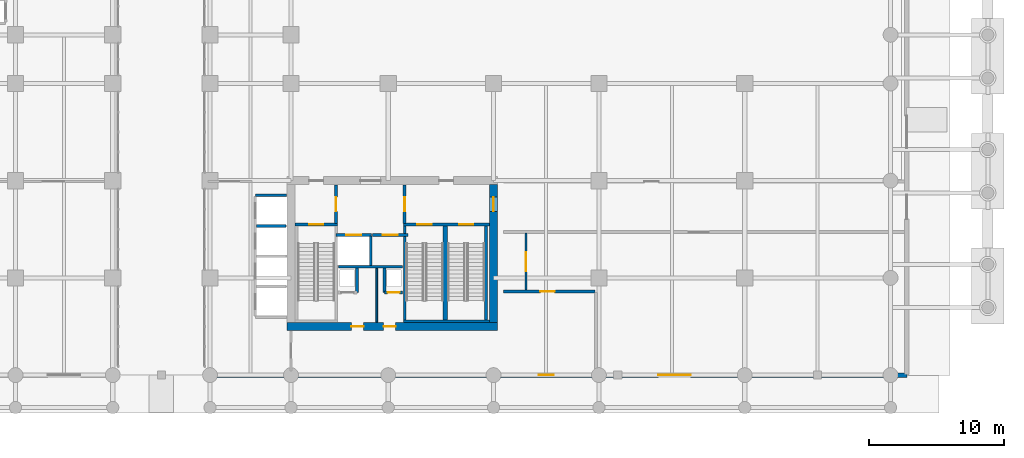
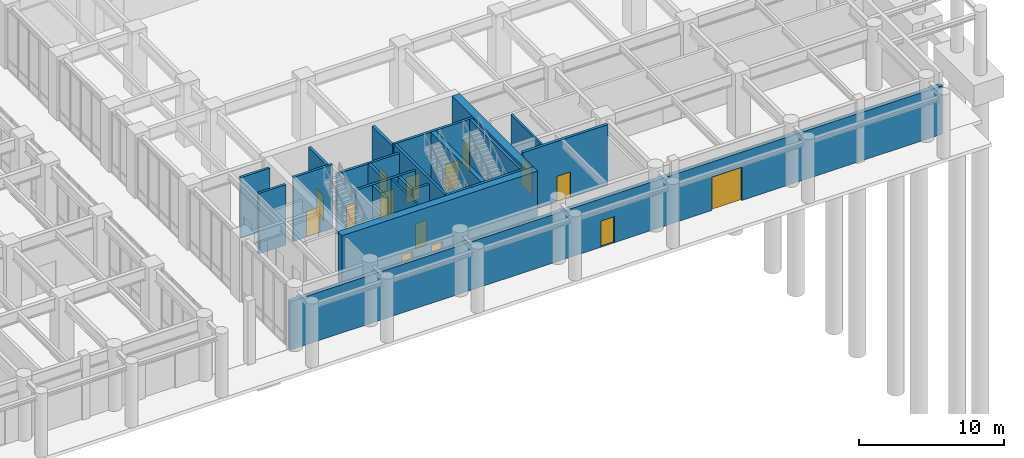
# One storey, part 15 of 23: 23 walls, 15 doors, 15 openings.
"""IFC4 building model written with IfcOpenShell, lengths in metres."""

import ifcopenshell
import ifcopenshell.guid

model = None  # the IFC model being written
_history = None  # IfcOwnerHistory: only IFC2X3 demands one
_inside = {}  # id of a spatial element -> (the spatial element, [elements in it])
_under = {}  # id of a project, library or spatial element -> (it, [spatial elements below it])
_declared = {}  # id of a project -> (the project, [libraries it declares])
_typed = {}  # id of a type object -> (the type object, [elements of that type])
_made_of = {}  # id of a material, layer set ... -> (it, [elements and type objects made of it])


def new_model(schema):
    """Start an empty IFC model of exactly this schema.

    Asked for "IFC4X3", IfcOpenShell would pick the latest addendum, in which some entities
    have other attributes; the version numbers below select the first issue.
    IFC2X3 requires an IfcOwnerHistory on every rooted entity: one is made here for all.
    """
    global model, _history
    if schema == "IFC4X3":
        model = ifcopenshell.file(schema_version=(4, 3, 0, 0))
    else:
        model = ifcopenshell.file(schema=schema)
    _inside.clear()
    _under.clear()
    _declared.clear()
    _typed.clear()
    _made_of.clear()
    _history = None
    if model.schema == "IFC2X3":
        org = make("IfcOrganization", Name="unknown")
        user = make(
            "IfcPersonAndOrganization",
            ThePerson=make("IfcPerson", FamilyName="unknown"),
            TheOrganization=org,
        )
        app = make(
            "IfcApplication",
            ApplicationDeveloper=org,
            Version="unknown",
            ApplicationFullName="unknown",
            ApplicationIdentifier="unknown",
        )
        _history = make(
            "IfcOwnerHistory",
            OwningUser=user,
            OwningApplication=app,
            ChangeAction="ADDED",
            CreationDate=0,
        )
    return model


def make(cls, **values):
    """One entity of the class cls with the attributes given. An attribute that is None is left unset."""
    return model.create_entity(
        cls, **{name: value for name, value in values.items() if value is not None}
    )


def rooted(cls, **values):
    """An entity with a GlobalId (a new one), such as an element, a storey or a relation."""
    return make(cls, GlobalId=ifcopenshell.guid.new(), OwnerHistory=_history, **values)


def si_unit(unit_type, name, prefix=None):
    """IfcSIUnit, for example si_unit("LENGTHUNIT", "METRE", prefix="MILLI")."""
    return make("IfcSIUnit", UnitType=unit_type, Prefix=prefix, Name=name)


def derived_unit(unit_type, elements):
    """IfcDerivedUnit: a product of units, each with its exponent."""
    return make(
        "IfcDerivedUnit",
        Elements=[
            make("IfcDerivedUnitElement", Unit=unit, Exponent=power)
            for unit, power in elements
        ],
        UnitType=unit_type,
    )


def assignment(units):
    """IfcUnitAssignment: the units of a project."""
    return None if units is None else make("IfcUnitAssignment", Units=units)


def point(xyz):
    """IfcCartesianPoint."""
    return None if xyz is None else make("IfcCartesianPoint", Coordinates=xyz)


def direction(xyz):
    """IfcDirection."""
    return None if xyz is None else make("IfcDirection", DirectionRatios=xyz)


def frame(location, z_axis=None, x_axis=None):
    """IfcAxis2Placement3D, a coordinate frame: its origin and axes. An axis left out is left unset."""
    return make(
        "IfcAxis2Placement3D",
        Location=point(location),
        Axis=direction(z_axis),
        RefDirection=direction(x_axis),
    )


def frame_2d(location, x_axis=None):
    """IfcAxis2Placement2D, a coordinate frame in the plane: its origin and x axis."""
    return make(
        "IfcAxis2Placement2D", Location=point(location), RefDirection=direction(x_axis)
    )


def origin():
    """The frame at (0, 0, 0) with its axes left unset."""
    return frame((0.0, 0.0, 0.0))


def place(relative_to, where):
    """IfcLocalPlacement: puts the frame where relative to a parent placement (None: the world)."""
    return make(
        "IfcLocalPlacement", PlacementRelTo=relative_to, RelativePlacement=where
    )


def context(
    kind, dimensions, precision=None, world=None, true_north=None, identifier=None
):
    """IfcGeometricRepresentationContext, for example the 3D "Model" context."""
    return make(
        "IfcGeometricRepresentationContext",
        ContextIdentifier=identifier,
        ContextType=kind,
        CoordinateSpaceDimension=dimensions,
        Precision=precision,
        WorldCoordinateSystem=world,
        TrueNorth=true_north,
    )


def subcontext(parent, identifier, kind, view, scale=None):
    """IfcGeometricRepresentationSubContext, for example "Body" below "Model"."""
    return make(
        "IfcGeometricRepresentationSubContext",
        ContextIdentifier=identifier,
        ContextType=kind,
        ParentContext=parent,
        TargetScale=scale,
        TargetView=view,
    )


def project(units=None, contexts=None):
    """IfcProject with its units and contexts."""
    return rooted(
        "IfcProject",
        Name="project",
        RepresentationContexts=contexts,
        UnitsInContext=assignment(units),
    )


def spatial(cls, under=None, at=None, **own):
    """A site, building, storey or space (cls), placed at a placement, below another one or the project."""
    s = rooted(cls, ObjectPlacement=at, **own)
    if under is not None:
        _under.setdefault(under.id(), (under, []))[1].append(s)
    return s


def profile(cls, at=None, kind="AREA", **sizes):
    """A parametric profile (cls). Its sizes go by their IFC names, for example OverallWidth=200.0."""
    return make(cls, ProfileType=kind, Position=at, **sizes)


def rectangle(**sizes):
    """IfcRectangleProfileDef."""
    return profile("IfcRectangleProfileDef", **sizes)


def extrude(swept, where, along, depth):
    """IfcExtrudedAreaSolid: the profile swept, set in the frame where, extruded along a direction by depth."""
    return make(
        "IfcExtrudedAreaSolid",
        SweptArea=swept,
        Position=where,
        ExtrudedDirection=direction(along),
        Depth=depth,
    )


def shape(context_of_items, identifier, shape_type, items):
    """IfcShapeRepresentation: the items that make up one representation, for example the "Body"."""
    return make(
        "IfcShapeRepresentation",
        ContextOfItems=context_of_items,
        RepresentationIdentifier=identifier,
        RepresentationType=shape_type,
        Items=items,
    )


def source(mapping_origin, context_of_items, identifier, shape_type, items):
    """IfcRepresentationMap: a shape defined once, which mapped items show again and again."""
    return make(
        "IfcRepresentationMap",
        MappingOrigin=mapping_origin,
        MappedRepresentation=shape(context_of_items, identifier, shape_type, items),
    )


def transform(
    local_origin,
    x_axis=None,
    y_axis=None,
    z_axis=None,
    scale=None,
    scale2=None,
    scale3=None,
    uniform=True,
):
    """IfcCartesianTransformationOperator3D, or its non-uniform kind. x_axis, y_axis, z_axis: its Axis1, 2, 3."""
    if uniform:
        return make(
            "IfcCartesianTransformationOperator3D",
            Axis1=direction(x_axis),
            Axis2=direction(y_axis),
            LocalOrigin=point(local_origin),
            Scale=scale,
            Axis3=direction(z_axis),
        )
    return make(
        "IfcCartesianTransformationOperator3DnonUniform",
        Axis1=direction(x_axis),
        Axis2=direction(y_axis),
        LocalOrigin=point(local_origin),
        Scale=scale,
        Axis3=direction(z_axis),
        Scale2=scale2,
        Scale3=scale3,
    )


def mapped(mapping_source, mapping_target):
    """IfcMappedItem: shows the shape of a source again, moved by a transform."""
    return make(
        "IfcMappedItem", MappingSource=mapping_source, MappingTarget=mapping_target
    )


def material(Name=None, Category=None):
    """IfcMaterial."""
    return make("IfcMaterial", Name=Name, Category=Category)


def layer(
    of_material, thickness, ventilated=None, Name=None, Category=None, Priority=None
):
    """IfcMaterialLayer: one layer of a wall or slab, of a material (None: an air gap)."""
    return make(
        "IfcMaterialLayer",
        Material=of_material,
        LayerThickness=thickness,
        IsVentilated=ventilated,
        Name=Name,
        Category=Category,
        Priority=Priority,
    )


def layer_set(layers, Name=None):
    """IfcMaterialLayerSet."""
    return make("IfcMaterialLayerSet", MaterialLayers=layers, LayerSetName=Name)


def made_of(thing, what):
    """Note that an element or type object is made of a material, layer set ...; save() writes the relation."""
    if what is not None:
        _made_of.setdefault(what.id(), (what, []))[1].append(thing)
    return thing


def type_object(cls, material=None, **own):
    """A type object (cls), such as IfcWallType, which elements share."""
    return made_of(rooted(cls, **own), material)


def type_shapes(of_type, sources):
    """Give a type object the sources (RepresentationMaps) that its elements show as mapped items."""
    of_type.RepresentationMaps = sources


def element(
    cls,
    number,
    at=None,
    inside=None,
    cuts=None,
    type_object=None,
    material=None,
    context=None,
    identifier="Body",
    shape_type=None,
    held_by="IfcProductDefinitionShape",
    body=None,
    shapes=None,
    **own,
):
    """One element of the class cls, such as IfcWall. Its Tag is "e" and its number.

    at: its placement. inside: the storey or other place that contains it. cuts: it is an
    opening in that element (IfcRelVoidsElement). A single representation is given by context,
    identifier, shape_type and body (its items); several are given by shapes. held_by: the class
    of the entity that holds the representations. save() writes the other relations.
    """
    e = rooted(cls, Tag="e%d" % number, ObjectPlacement=at, **own)
    if body is not None:
        shapes = [shape(context, identifier, shape_type, body)]
    if shapes is not None:
        e.Representation = make(held_by, Representations=shapes)
    if inside is not None:
        _inside.setdefault(inside.id(), (inside, []))[1].append(e)
    if cuts is not None:
        rooted(
            "IfcRelVoidsElement", RelatingBuildingElement=cuts, RelatedOpeningElement=e
        )
    if type_object is not None:
        _typed.setdefault(type_object.id(), (type_object, []))[1].append(e)
    return made_of(e, material)


def fill(opening, filler):
    """IfcRelFillsElement: the door or window that sits in an opening."""
    return rooted(
        "IfcRelFillsElement",
        RelatingOpeningElement=opening,
        RelatedBuildingElement=filler,
    )


def aggregate(whole, parts):
    """IfcRelAggregates: a whole, such as a stair, and the parts it consists of."""
    return rooted("IfcRelAggregates", RelatingObject=whole, RelatedObjects=parts)


def save(model, path):
    """Write the relations noted so far, then the file.

    IfcRelAggregates (storeys below a building ...), IfcRelContainedInSpatialStructure (elements
    in a storey), IfcRelDefinesByType, IfcRelAssociatesMaterial and IfcRelDeclares: one each for
    every whole, place, type object, material and project.
    """
    for whole, parts in _under.values():
        aggregate(whole, parts)
    for where, things in _inside.values():
        rooted(
            "IfcRelContainedInSpatialStructure",
            RelatedElements=things,
            RelatingStructure=where,
        )
    for kind, things in _typed.values():
        rooted("IfcRelDefinesByType", RelatedObjects=things, RelatingType=kind)
    for what, things in _made_of.values():
        rooted("IfcRelAssociatesMaterial", RelatedObjects=things, RelatingMaterial=what)
    for by, libraries in _declared.values():
        rooted("IfcRelDeclares", RelatingContext=by, RelatedDefinitions=libraries)
    model.write(path)


model = new_model("IFC4")

# Units and contexts
model_context = context("Model", 3, precision=1e-05, world=origin(), true_north=direction((0.0, 1.0)))
body_context = subcontext(model_context, "Body", "Model", "MODEL_VIEW")
ifc_project = project(units=[si_unit("LENGTHUNIT", "METRE"), si_unit("AREAUNIT", "SQUARE_METRE"), si_unit("VOLUMEUNIT", "CUBIC_METRE"), si_unit("PLANEANGLEUNIT", "RADIAN"), si_unit("MASSUNIT", "GRAM", prefix="KILO"), si_unit("THERMODYNAMICTEMPERATUREUNIT", "KELVIN"), si_unit("POWERUNIT", "WATT"), derived_unit("THERMALTRANSMITTANCEUNIT", [(si_unit("POWERUNIT", "WATT"), 1), (si_unit("AREAUNIT", "SQUARE_METRE"), -1), (si_unit("THERMODYNAMICTEMPERATUREUNIT", "KELVIN"), -1)])], contexts=[model_context])

# Site, building, storey
site_placement = place(None, origin())
site = spatial("IfcSite", under=ifc_project, at=site_placement, CompositionType="ELEMENT")
building_placement = place(site_placement, origin())
building = spatial("IfcBuilding", under=site, at=building_placement, Name="Zahravan Archway Hotel and Residences", CompositionType="ELEMENT")
storey_placement = place(building_placement, origin())
storey = spatial("IfcBuildingStorey", under=building, at=storey_placement, Name="L00", CompositionType="ELEMENT", Elevation=0.0)

# Wall, openings, doors
ifc_material_1 = material(Name="Concrete C70/85", Category="concrete")
ifc_layer_1 = layer(ifc_material_1, 0.60009765625, Name="Concrete C70/85", Category="concrete")
ifc_layer_set_1 = layer_set([ifc_layer_1], Name="Concrete C70/85")
wall_type_1 = type_object("IfcWallType", Name="CW-CORE-600", PredefinedType="SHEAR", material=ifc_layer_set_1)
wall_1_placement = place(storey_placement, frame((34.5, 3.60009765625, 0.0), z_axis=(0.0, 0.0, 1.0), x_axis=(1.0, 0.0, 0.0)))
wall_1 = element("IfcWall", 1, at=wall_1_placement, inside=storey, type_object=wall_type_1, Name="L00 Core A Shear S Wall 600 mm", PredefinedType="SHEAR", context=body_context, shape_type="SweptSolid", body=[
    extrude(rectangle(XDim=15.60009765625, YDim=0.60009765625, at=frame_2d((7.800048828125, 0.0))), origin(), (0.0, 0.0, 1.0), 5.39990234375),
])
opening_1_placement = place(wall_1_placement, frame((4.77001953125, 0.0, 0.0)))
opening_1 = element("IfcOpeningElement", 2, at=opening_1_placement, cuts=wall_1, Name="Opening FD-R1", PredefinedType="OPENING", context=body_context, shape_type="SweptSolid", body=[
    extrude(rectangle(XDim=0.89990234375, YDim=2.10009765625, at=frame_2d((0.449951171875, 1.050048828125))), frame((0.0, 0.31005859375, 0.0), z_axis=(0.0, -1.0, 0.0), x_axis=(1.0, 0.0, 0.0)), (0.0, 0.0, 1.0), 0.6201171875),
])
opening_2_placement = place(wall_1_placement, frame((7.14990234375, 0.0, 0.0)))
opening_2 = element("IfcOpeningElement", 3, at=opening_2_placement, cuts=wall_1, Name="Opening FD-R1", PredefinedType="OPENING", context=body_context, shape_type="SweptSolid", body=[
    extrude(rectangle(XDim=0.89990234375, YDim=2.10009765625, at=frame_2d((0.449951171875, 1.050048828125))), frame((0.0, 0.31005859375, 0.0), z_axis=(0.0, -1.0, 0.0), x_axis=(1.0, 0.0, 0.0)), (0.0, 0.0, 1.0), 0.6201171875),
])
ifc_material_2 = material(Name="Fire-Rated Painted Steel", Category="steel")
door_type_1 = type_object("IfcDoorType", Name="FD-RISER-900", OperationType="NOTDEFINED", PredefinedType="DOOR", material=ifc_material_2)
shared_shape_1 = source(origin(), body_context, "Body", "SweptSolid", [
    extrude(rectangle(XDim=0.89990234375, YDim=2.10009765625, at=frame_2d((0.449951171875, 1.050048828125))), frame((0.0, 0.02490234375, 0.0), z_axis=(0.0, -1.0, 0.0), x_axis=(1.0, 0.0, 0.0)), (0.0, 0.0, 1.0), 0.050048828125),
])
type_shapes(door_type_1, [shared_shape_1])
door_1_placement = place(opening_1_placement, origin())
door_1 = element("IfcDoor", 4, at=door_1_placement, inside=storey, type_object=door_type_1, Name="L00 Fan Room Door", OperationType="SINGLE_SWING_RIGHT", OverallHeight=2.10009765625, OverallWidth=0.89990234375, PredefinedType="DOOR", context=body_context, shape_type="MappedRepresentation", body=[
    mapped(shared_shape_1, transform((0.0, 0.0, 0.0), scale=1.0)),
])
fill(opening_1, door_1)
door_2_placement = place(opening_2_placement, origin())
door_2 = element("IfcDoor", 5, at=door_2_placement, inside=storey, type_object=door_type_1, Name="L00 Sub-Meter Cupboard Door", OperationType="SINGLE_SWING_LEFT", OverallHeight=2.10009765625, OverallWidth=0.89990234375, PredefinedType="DOOR", context=body_context, shape_type="MappedRepresentation", body=[
    mapped(shared_shape_1, transform((0.0, 0.0, 0.0), scale=1.0)),
])
fill(opening_2, door_2)

# Wall, opening, door
wall_2_placement = place(storey_placement, frame((49.800048828125, 3.89990234375, 0.0), z_axis=(0.0, 0.0, 1.0), x_axis=(0.0, 1.0, 0.0)))
wall_2 = element("IfcWall", 6, at=wall_2_placement, inside=storey, type_object=wall_type_1, Name="L00 Core A Shear E Wall 600 mm", PredefinedType="SHEAR", context=body_context, shape_type="SweptSolid", body=[
    extrude(rectangle(XDim=10.2001953125, YDim=0.60009765625, at=frame_2d((5.10009765625, 0.0))), origin(), (0.0, 0.0, 1.0), 5.39990234375),
])
opening_3_placement = place(wall_2_placement, frame((8.22509765625, 0.0, 0.0)))
opening_3 = element("IfcOpeningElement", 7, at=opening_3_placement, cuts=wall_2, Name="Opening FD-S1", PredefinedType="OPENING", context=body_context, shape_type="SweptSolid", body=[
    extrude(rectangle(XDim=1.050048828125, YDim=2.199951171875, at=frame_2d((0.52490234375, 1.10009765625))), frame((0.0, 0.31005859375, 0.0), z_axis=(0.0, -1.0, 0.0), x_axis=(1.0, 0.0, 0.0)), (0.0, 0.0, 1.0), 0.6201171875),
])
door_type_2 = type_object("IfcDoorType", Name="FD-STAIR-1100", OperationType="NOTDEFINED", PredefinedType="DOOR", material=ifc_material_2)
shared_shape_2 = source(origin(), body_context, "Body", "SweptSolid", [
    extrude(rectangle(XDim=1.050048828125, YDim=2.199951171875, at=frame_2d((0.52490234375, 1.10009765625))), frame((0.0, 0.02490234375, 0.0), z_axis=(0.0, -1.0, 0.0), x_axis=(1.0, 0.0, 0.0)), (0.0, 0.0, 1.0), 0.050048828125),
])
type_shapes(door_type_2, [shared_shape_2])
door_3_placement = place(opening_3_placement, frame((1.050048828125, 0.0, 0.0), z_axis=(0.0, 0.0, 1.0), x_axis=(-1.0, 0.0, 0.0)))
door_3 = element("IfcDoor", 8, at=door_3_placement, inside=storey, type_object=door_type_2, Name="L00 Core A East Discharge Door", OperationType="SINGLE_SWING_LEFT", OverallHeight=2.199951171875, OverallWidth=1.050048828125, PredefinedType="DOOR", context=body_context, shape_type="MappedRepresentation", body=[
    mapped(shared_shape_2, transform((0.0, 0.0, 0.0), scale=1.0)),
])
fill(opening_3, door_3)

# Wall, openings, doors
ifc_material_3 = material(Name="Agra Buff Sandstone & Insulated Backup", Category="masonry")
ifc_layer_2 = layer(ifc_material_3, 0.320068359375, Name="Agra Buff Sandstone & Insulated Backup", Category="masonry")
ifc_layer_set_2 = layer_set([ifc_layer_2], Name="Agra Buff Sandstone & Insulated Backup")
wall_type_2 = type_object("IfcWallType", Name="EW-SAND-320", PredefinedType="SOLIDWALL", material=ifc_layer_set_2)
wall_3_placement = place(storey_placement, frame((28.35009765625, 0.0, 0.0), z_axis=(0.0, 0.0, 1.0), x_axis=(1.0, 0.0, 0.0)))
wall_3 = element("IfcWall", 9, at=wall_3_placement, inside=storey, type_object=wall_type_2, Name="L00 Podium Sandstone SE Wall", PredefinedType="SOLIDWALL", context=body_context, shape_type="SweptSolid", body=[
    extrude(rectangle(XDim=52.0498046875, YDim=0.320068359375, at=frame_2d((26.02490234375, 0.0))), origin(), (0.0, 0.0, 1.0), 4.0849609375),
])
opening_4_placement = place(wall_3_placement, frame((24.800048828125, 0.0, 0.0)))
opening_4 = element("IfcOpeningElement", 10, at=opening_4_placement, cuts=wall_3, Name="Opening ED-X1", PredefinedType="OPENING", context=body_context, shape_type="SweptSolid", body=[
    extrude(rectangle(XDim=1.10009765625, YDim=2.199951171875, at=frame_2d((0.550048828125, 1.10009765625))), frame((0.0, 0.169921875, 0.0), z_axis=(0.0, -1.0, 0.0), x_axis=(1.0, 0.0, 0.0)), (0.0, 0.0, 1.0), 0.340087890625),
])
opening_5_placement = place(wall_3_placement, frame((33.64990234375, 0.0, 0.0)))
opening_5 = element("IfcOpeningElement", 11, at=opening_5_placement, cuts=wall_3, Name="Opening ED-M1", PredefinedType="OPENING", context=body_context, shape_type="SweptSolid", body=[
    extrude(rectangle(XDim=2.39990234375, YDim=2.800048828125, at=frame_2d((1.199951171875, 1.39990234375))), frame((0.0, 0.169921875, 0.0), z_axis=(0.0, -1.0, 0.0), x_axis=(1.0, 0.0, 0.0)), (0.0, 0.0, 1.0), 0.340087890625),
])
ifc_material_4 = material(Name="Bronze-Anodized Glazed Aluminium", Category="aluminium")
door_type_3 = type_object("IfcDoorType", Name="ED-ENTRY-2400", OperationType="DOUBLE_DOOR_SINGLE_SWING", PredefinedType="DOOR", material=ifc_material_4)
shared_shape_3 = source(origin(), body_context, "Body", "SweptSolid", [
    extrude(rectangle(XDim=2.39990234375, YDim=2.800048828125, at=frame_2d((1.199951171875, 1.39990234375))), frame((0.0, 0.02490234375, 0.0), z_axis=(0.0, -1.0, 0.0), x_axis=(1.0, 0.0, 0.0)), (0.0, 0.0, 1.0), 0.050048828125),
])
type_shapes(door_type_3, [shared_shape_3])
door_4_placement = place(opening_5_placement, frame((2.39990234375, 0.0, 0.0), z_axis=(0.0, 0.0, 1.0), x_axis=(-1.0, 0.0, 0.0)))
door_4 = element("IfcDoor", 12, at=door_4_placement, inside=storey, type_object=door_type_3, Name="L00 Branded Residences Main Entrance Doors", OperationType="DOUBLE_DOOR_SINGLE_SWING", OverallHeight=2.800048828125, OverallWidth=2.39990234375, PredefinedType="DOOR", context=body_context, shape_type="MappedRepresentation", body=[
    mapped(shared_shape_3, transform((0.0, 0.0, 0.0), scale=1.0)),
])
fill(opening_5, door_4)
door_type_4 = type_object("IfcDoorType", Name="ED-EXIT-1100", OperationType="NOTDEFINED", PredefinedType="DOOR", material=ifc_material_2)
shared_shape_4 = source(origin(), body_context, "Body", "SweptSolid", [
    extrude(rectangle(XDim=1.10009765625, YDim=2.199951171875, at=frame_2d((0.550048828125, 1.10009765625))), frame((0.0, 0.02490234375, 0.0), z_axis=(0.0, -1.0, 0.0), x_axis=(1.0, 0.0, 0.0)), (0.0, 0.0, 1.0), 0.050048828125),
])
type_shapes(door_type_4, [shared_shape_4])
door_5_placement = place(opening_4_placement, frame((1.10009765625, 0.0, 0.0), z_axis=(0.0, 0.0, 1.0), x_axis=(-1.0, 0.0, 0.0)))
door_5 = element("IfcDoor", 13, at=door_5_placement, inside=storey, type_object=door_type_4, Name="L00 Fire Command Centre Direct Exterior Door", OperationType="SINGLE_SWING_LEFT", OverallHeight=2.199951171875, OverallWidth=1.10009765625, PredefinedType="DOOR", context=body_context, shape_type="MappedRepresentation", body=[
    mapped(shared_shape_4, transform((0.0, 0.0, 0.0), scale=1.0)),
])
fill(opening_4, door_5)

# Wall, opening, door
ifc_material_5 = material(Name="Fire-Rated Gypsum & Concrete Block", Category="concrete")
ifc_layer_3 = layer(ifc_material_5, 0.219970703125, Name="Fire-Rated Gypsum & Concrete Block", Category="concrete")
ifc_layer_set_3 = layer_set([ifc_layer_3], Name="Fire-Rated Gypsum & Concrete Block")
wall_type_3 = type_object("IfcWallType", Name="PW-COMP-220", PredefinedType="PARTITIONING", material=ifc_layer_set_3)
wall_4_placement = place(storey_placement, frame((38.139892578125, 11.219970703125, 0.0), z_axis=(0.0, 0.0, 1.0), x_axis=(0.0, 1.0, 0.0)))
wall_4 = element("IfcWall", 14, at=wall_4_placement, inside=storey, type_object=wall_type_3, Name="L00 Partition CA-LOBW", PredefinedType="PARTITIONING", context=body_context, shape_type="SweptSolid", body=[
    extrude(rectangle(XDim=2.860107421875, YDim=0.219970703125, at=frame_2d((1.43017578125, 0.0))), origin(), (0.0, 0.0, 1.0), 5.10009765625),
])
opening_6_placement = place(wall_4_placement, frame((0.905029296875, 0.0, 0.0)))
opening_6 = element("IfcOpeningElement", 15, at=opening_6_placement, cuts=wall_4, Name="Opening FD-L2", PredefinedType="OPENING", context=body_context, shape_type="SweptSolid", body=[
    extrude(rectangle(XDim=1.050048828125, YDim=2.14990234375, at=frame_2d((0.52490234375, 1.074951171875))), frame((0.0, 0.1201171875, 0.0), z_axis=(0.0, -1.0, 0.0), x_axis=(1.0, 0.0, 0.0)), (0.0, 0.0, 1.0), 0.239990234375),
])
door_type_5 = type_object("IfcDoorType", Name="FD-LOBBY-1100", OperationType="NOTDEFINED", PredefinedType="DOOR", material=ifc_material_2)
shared_shape_5 = source(origin(), body_context, "Body", "SweptSolid", [
    extrude(rectangle(XDim=1.050048828125, YDim=2.14990234375, at=frame_2d((0.52490234375, 1.074951171875))), frame((0.0, 0.02490234375, 0.0), z_axis=(0.0, -1.0, 0.0), x_axis=(1.0, 0.0, 0.0)), (0.0, 0.0, 1.0), 0.050048828125),
])
type_shapes(door_type_5, [shared_shape_5])
door_6_placement = place(opening_6_placement, origin())
door_6 = element("IfcDoor", 16, at=door_6_placement, inside=storey, type_object=door_type_5, Name="L00 Core A West Stair to FSAE Lobby Door", OperationType="SINGLE_SWING_LEFT", OverallHeight=2.14990234375, OverallWidth=1.050048828125, PredefinedType="DOOR", context=body_context, shape_type="MappedRepresentation", body=[
    mapped(shared_shape_5, transform((0.0, 0.0, 0.0), scale=1.0)),
])
fill(opening_6, door_6)

wall_5_placement = place(storey_placement, frame((43.219970703125, 11.219970703125, 0.0), z_axis=(0.0, 0.0, 1.0), x_axis=(0.0, 1.0, 0.0)))
wall_5 = element("IfcWall", 17, at=wall_5_placement, inside=storey, type_object=wall_type_3, Name="L00 Partition CA-LOBE", PredefinedType="PARTITIONING", context=body_context, shape_type="SweptSolid", body=[
    extrude(rectangle(XDim=2.860107421875, YDim=0.219970703125, at=frame_2d((1.43017578125, 0.0))), origin(), (0.0, 0.0, 1.0), 5.10009765625),
])
opening_7_placement = place(wall_5_placement, frame((0.905029296875, 0.0, 0.0)))
opening_7 = element("IfcOpeningElement", 18, at=opening_7_placement, cuts=wall_5, Name="Opening FD-L2", PredefinedType="OPENING", context=body_context, shape_type="SweptSolid", body=[
    extrude(rectangle(XDim=1.050048828125, YDim=2.14990234375, at=frame_2d((0.52490234375, 1.074951171875))), frame((0.0, 0.1201171875, 0.0), z_axis=(0.0, -1.0, 0.0), x_axis=(1.0, 0.0, 0.0)), (0.0, 0.0, 1.0), 0.239990234375),
])
door_7_placement = place(opening_7_placement, origin())
door_7 = element("IfcDoor", 19, at=door_7_placement, inside=storey, type_object=door_type_5, Name="L00 Core A East Stair to FSAE Lobby Door", OperationType="SINGLE_SWING_RIGHT", OverallHeight=2.14990234375, OverallWidth=1.050048828125, PredefinedType="DOOR", context=body_context, shape_type="MappedRepresentation", body=[
    mapped(shared_shape_5, transform((0.0, 0.0, 0.0), scale=1.0)),
])
fill(opening_7, door_7)

wall_6_placement = place(storey_placement, frame((50.5400390625, 6.199951171875, 0.0), z_axis=(0.0, 0.0, 1.0), x_axis=(1.0, 0.0, 0.0)))
wall_6 = element("IfcWall", 20, at=wall_6_placement, inside=storey, type_object=wall_type_3, Name="L00 Partition L0-FCCN", PredefinedType="PARTITIONING", context=body_context, shape_type="SweptSolid", body=[
    extrude(rectangle(XDim=6.77001953125, YDim=0.219970703125, at=frame_2d((3.385009765625, 0.0))), origin(), (0.0, 0.0, 1.0), 5.10009765625),
])
opening_8_placement = place(wall_6_placement, frame((2.735107421875, 0.0, 0.0)))
opening_8 = element("IfcOpeningElement", 21, at=opening_8_placement, cuts=wall_6, Name="Opening FD-L2", PredefinedType="OPENING", context=body_context, shape_type="SweptSolid", body=[
    extrude(rectangle(XDim=1.050048828125, YDim=2.14990234375, at=frame_2d((0.52490234375, 1.074951171875))), frame((0.0, 0.1201171875, 0.0), z_axis=(0.0, -1.0, 0.0), x_axis=(1.0, 0.0, 0.0)), (0.0, 0.0, 1.0), 0.239990234375),
])
door_8_placement = place(opening_8_placement, origin())
door_8 = element("IfcDoor", 22, at=door_8_placement, inside=storey, type_object=door_type_5, Name="L00 Fire Command Centre Interior Door", OperationType="SINGLE_SWING_LEFT", OverallHeight=2.14990234375, OverallWidth=1.050048828125, PredefinedType="DOOR", context=body_context, shape_type="MappedRepresentation", body=[
    mapped(shared_shape_5, transform((0.0, 0.0, 0.0), scale=1.0)),
])
fill(opening_8, door_8)

ifc_layer_4 = layer(ifc_material_5, 0.159912109375, Name="Fire-Rated Gypsum & Concrete Block", Category="concrete")
ifc_layer_set_4 = layer_set([ifc_layer_4], Name="Fire-Rated Gypsum & Concrete Block")
wall_type_4 = type_object("IfcWallType", Name="PW-CORR-160", PredefinedType="PARTITIONING", material=ifc_layer_set_4)
wall_7_placement = place(storey_placement, frame((52.199951171875, 10.510009765625, 0.0), z_axis=(0.0, 0.0, 1.0), x_axis=(0.0, -1.0, 0.0)))
wall_7 = element("IfcWall", 23, at=wall_7_placement, inside=storey, type_object=wall_type_4, Name="L00 Partition L0-RLOB", PredefinedType="PARTITIONING", context=body_context, shape_type="SweptSolid", body=[
    extrude(rectangle(XDim=4.219970703125, YDim=0.159912109375, at=frame_2d((2.10986328125, 0.0))), origin(), (0.0, 0.0, 1.0), 5.10009765625),
])
opening_9_placement = place(wall_7_placement, frame((1.409912109375, 0.0, 0.0)))
opening_9 = element("IfcOpeningElement", 24, at=opening_9_placement, cuts=wall_7, Name="Opening D-P1", PredefinedType="OPENING", context=body_context, shape_type="SweptSolid", body=[
    extrude(rectangle(XDim=1.39990234375, YDim=2.35009765625, at=frame_2d((0.699951171875, 1.175048828125))), frame((0.0, 0.08984375, 0.0), z_axis=(0.0, -1.0, 0.0), x_axis=(1.0, 0.0, 0.0)), (0.0, 0.0, 1.0), 0.179931640625),
])
door_type_6 = type_object("IfcDoorType", Name="ID-PUBLIC-1400", OperationType="DOUBLE_DOOR_SINGLE_SWING", PredefinedType="DOOR", material=ifc_material_4)
shared_shape_6 = source(origin(), body_context, "Body", "SweptSolid", [
    extrude(rectangle(XDim=1.39990234375, YDim=2.35009765625, at=frame_2d((0.699951171875, 1.175048828125))), frame((0.0, 0.02490234375, 0.0), z_axis=(0.0, -1.0, 0.0), x_axis=(1.0, 0.0, 0.0)), (0.0, 0.0, 1.0), 0.050048828125),
])
type_shapes(door_type_6, [shared_shape_6])
door_9_placement = place(opening_9_placement, origin())
door_9 = element("IfcDoor", 25, at=door_9_placement, inside=storey, type_object=door_type_6, Name="L00 Residence Lobby Corridor Door", OperationType="DOUBLE_DOOR_SINGLE_SWING", OverallHeight=2.35009765625, OverallWidth=1.39990234375, PredefinedType="DOOR", context=body_context, shape_type="MappedRepresentation", body=[
    mapped(shared_shape_6, transform((0.0, 0.0, 0.0), scale=1.0)),
])
fill(opening_9, door_9)

# Walls
ifc_layer_5 = layer(ifc_material_5, 0.199951171875, Name="Fire-Rated Gypsum & Concrete Block", Category="concrete")
ifc_layer_set_5 = layer_set([ifc_layer_5], Name="Fire-Rated Gypsum & Concrete Block")
wall_type_5 = type_object("IfcWallType", Name="PW-SHAFT-200", PredefinedType="PARTITIONING", material=ifc_layer_set_5)
wall_8_placement = place(storey_placement, frame((38.300048828125, 8.030029296875, 0.0), z_axis=(0.0, 0.0, 1.0), x_axis=(1.0, 0.0, 0.0)))
element("IfcWall", 26, at=wall_8_placement, inside=storey, type_object=wall_type_5, Name="L00 Partition CA-FLS", PredefinedType="PARTITIONING", context=body_context, shape_type="SweptSolid", body=[
    extrude(rectangle(XDim=4.739990234375, YDim=0.199951171875, at=frame_2d((2.3701171875, 0.0))), origin(), (0.0, 0.0, 1.0), 5.10009765625),
])
wall_9_placement = place(storey_placement, frame((40.699951171875, 8.1201171875, 0.0), z_axis=(0.0, 0.0, 1.0), x_axis=(0.0, 1.0, 0.0)))
element("IfcWall", 27, at=wall_9_placement, inside=storey, type_object=wall_type_5, Name="L00 Partition CA-FLM", PredefinedType="PARTITIONING", context=body_context, shape_type="SweptSolid", body=[
    extrude(rectangle(XDim=2.179931640625, YDim=0.199951171875, at=frame_2d((1.08984375, 0.0))), origin(), (0.0, 0.0, 1.0), 5.10009765625),
])
wall_10_placement = place(storey_placement, frame((39.679931640625, 6.1298828125, 0.0), z_axis=(0.0, 0.0, 1.0), x_axis=(0.0, 1.0, 0.0)))
element("IfcWall", 28, at=wall_10_placement, inside=storey, type_object=wall_type_5, Name="L00 Partition CA-SMKE", PredefinedType="PARTITIONING", context=body_context, shape_type="SweptSolid", body=[
    extrude(rectangle(XDim=1.7900390625, YDim=0.199951171875, at=frame_2d((0.89501953125, 0.0))), origin(), (0.0, 0.0, 1.0), 5.10009765625),
])

# Wall, opening, door
wall_11_placement = place(storey_placement, frame((41.72998046875, 6.1201171875, 0.0), z_axis=(0.0, 0.0, 1.0), x_axis=(1.0, 0.0, 0.0)))
wall_11 = element("IfcWall", 29, at=wall_11_placement, inside=storey, type_object=wall_type_5, Name="L00 Partition CA-MEPS", PredefinedType="PARTITIONING", context=body_context, shape_type="SweptSolid", body=[
    extrude(rectangle(XDim=1.320068359375, YDim=0.199951171875, at=frame_2d((0.66015625, 0.0))), origin(), (0.0, 0.0, 1.0), 5.10009765625),
])
opening_10_placement = place(wall_11_placement, frame((0.219970703125, 0.0, 0.0)))
opening_10 = element("IfcOpeningElement", 30, at=opening_10_placement, cuts=wall_11, Name="Opening FD-R1", PredefinedType="OPENING", context=body_context, shape_type="SweptSolid", body=[
    extrude(rectangle(XDim=0.89990234375, YDim=2.10009765625, at=frame_2d((0.449951171875, 1.050048828125))), frame((0.0, 0.10986328125, 0.0), z_axis=(0.0, -1.0, 0.0), x_axis=(1.0, 0.0, 0.0)), (0.0, 0.0, 1.0), 0.219970703125),
])
door_10_placement = place(opening_10_placement, origin())
door_10 = element("IfcDoor", 31, at=door_10_placement, inside=storey, type_object=door_type_1, Name="L00 MEP Riser Access Door", OperationType="SINGLE_SWING_LEFT", OverallHeight=2.10009765625, OverallWidth=0.89990234375, PredefinedType="DOOR", context=body_context, shape_type="MappedRepresentation", body=[
    mapped(shared_shape_1, transform((0.0, 0.0, 0.0), scale=1.0)),
])
fill(opening_10, door_10)

# Walls
wall_12_placement = place(storey_placement, frame((41.719970703125, 6.1298828125, 0.0), z_axis=(0.0, 0.0, 1.0), x_axis=(0.0, 1.0, 0.0)))
element("IfcWall", 32, at=wall_12_placement, inside=storey, type_object=wall_type_5, Name="L00 Partition CA-MEPW", PredefinedType="PARTITIONING", context=body_context, shape_type="SweptSolid", body=[
    extrude(rectangle(XDim=1.7900390625, YDim=0.199951171875, at=frame_2d((0.89501953125, 0.0))), origin(), (0.0, 0.0, 1.0), 5.10009765625),
])
wall_13_placement = place(storey_placement, frame((32.159912109375, 13.320068359375, 0.0), z_axis=(0.0, 0.0, 1.0), x_axis=(1.0, 0.0, 0.0)))
element("IfcWall", 33, at=wall_13_placement, inside=storey, type_object=wall_type_5, Name="L00 Partition B3-N", PredefinedType="PARTITIONING", context=body_context, shape_type="SweptSolid", body=[
    extrude(rectangle(XDim=2.31005859375, YDim=0.199951171875, at=frame_2d((1.155029296875, 0.0))), origin(), (0.0, 0.0, 1.0), 5.10009765625),
])
wall_14_placement = place(storey_placement, frame((32.260009765625, 11.0400390625, 0.0), z_axis=(0.0, 0.0, 1.0), x_axis=(1.0, 0.0, 0.0)))
element("IfcWall", 34, at=wall_14_placement, inside=storey, type_object=wall_type_5, Name="L00 Partition B3-D", PredefinedType="PARTITIONING", context=body_context, shape_type="SweptSolid", body=[
    extrude(rectangle(XDim=2.179931640625, YDim=0.199951171875, at=frame_2d((1.08984375, 0.0))), origin(), (0.0, 0.0, 1.0), 5.10009765625),
])

# Wall, opening, door
wall_15_placement = place(storey_placement, frame((38.1201171875, 10.3701171875, 0.0), z_axis=(0.0, 0.0, 1.0), x_axis=(1.0, 0.0, 0.0)))
wall_15 = element("IfcWall", 35, at=wall_15_placement, inside=storey, type_object=wall_type_5, Name="L00 Lift FL-1 Front Wall", PredefinedType="PARTITIONING", context=body_context, shape_type="SweptSolid", body=[
    extrude(rectangle(XDim=2.639892578125, YDim=0.199951171875, at=frame_2d((1.31982421875, 0.0))), origin(), (0.0, 0.0, 1.0), 5.10009765625),
])
opening_11_placement = place(wall_15_placement, frame((0.77001953125, 0.0, 0.0)))
opening_11 = element("IfcOpeningElement", 36, at=opening_11_placement, cuts=wall_15, Name="Opening LD", PredefinedType="OPENING", context=body_context, shape_type="SweptSolid", body=[
    extrude(rectangle(XDim=1.10009765625, YDim=2.199951171875, at=frame_2d((0.550048828125, 1.10009765625))), frame((0.0, 0.10986328125, 0.0), z_axis=(0.0, -1.0, 0.0), x_axis=(1.0, 0.0, 0.0)), (0.0, 0.0, 1.0), 0.219970703125),
])
ifc_material_6 = material(Name="Brushed Stainless Steel", Category="steel")
door_type_7 = type_object("IfcDoorType", Name="DR-LIFT-LD", OperationType="SLIDING_TO_LEFT", PredefinedType="DOOR", material=ifc_material_6)
shared_shape_7 = source(origin(), body_context, "Body", "SweptSolid", [
    extrude(rectangle(XDim=1.10009765625, YDim=2.199951171875, at=frame_2d((0.550048828125, 1.10009765625))), frame((0.0, 0.02490234375, 0.0), z_axis=(0.0, -1.0, 0.0), x_axis=(1.0, 0.0, 0.0)), (0.0, 0.0, 1.0), 0.050048828125),
])
type_shapes(door_type_7, [shared_shape_7])
door_11_placement = place(opening_11_placement, origin())
door_11 = element("IfcDoor", 37, at=door_11_placement, inside=storey, type_object=door_type_7, Name="L00 Lift FL-1 Sliding Landing Door", OperationType="SLIDING_TO_LEFT", OverallHeight=2.199951171875, OverallWidth=1.10009765625, PredefinedType="DOOR", context=body_context, shape_type="MappedRepresentation", body=[
    mapped(shared_shape_7, transform((0.0, 0.0, 0.0), scale=1.0)),
])
fill(opening_11, door_11)

wall_16_placement = place(storey_placement, frame((40.840087890625, 10.3701171875, 0.0), z_axis=(0.0, 0.0, 1.0), x_axis=(1.0, 0.0, 0.0)))
wall_16 = element("IfcWall", 38, at=wall_16_placement, inside=storey, type_object=wall_type_5, Name="L00 Lift FL-2 Front Wall", PredefinedType="PARTITIONING", context=body_context, shape_type="SweptSolid", body=[
    extrude(rectangle(XDim=2.639892578125, YDim=0.199951171875, at=frame_2d((1.31982421875, 0.0))), origin(), (0.0, 0.0, 1.0), 5.10009765625),
])
opening_12_placement = place(wall_16_placement, frame((0.77001953125, 0.0, 0.0)))
opening_12 = element("IfcOpeningElement", 39, at=opening_12_placement, cuts=wall_16, Name="Opening LD", PredefinedType="OPENING", context=body_context, shape_type="SweptSolid", body=[
    extrude(rectangle(XDim=1.10009765625, YDim=2.199951171875, at=frame_2d((0.550048828125, 1.10009765625))), frame((0.0, 0.10986328125, 0.0), z_axis=(0.0, -1.0, 0.0), x_axis=(1.0, 0.0, 0.0)), (0.0, 0.0, 1.0), 0.219970703125),
])
door_12_placement = place(opening_12_placement, origin())
door_12 = element("IfcDoor", 40, at=door_12_placement, inside=storey, type_object=door_type_7, Name="L00 Lift FL-2 Sliding Landing Door", OperationType="SLIDING_TO_LEFT", OverallHeight=2.199951171875, OverallWidth=1.10009765625, PredefinedType="DOOR", context=body_context, shape_type="MappedRepresentation", body=[
    mapped(shared_shape_7, transform((0.0, 0.0, 0.0), scale=1.0)),
])
fill(opening_12, door_12)

# Wall
ifc_material_7 = material(Name="Moisture-Resistant Blockwork", Category="masonry")
ifc_layer_6 = layer(ifc_material_7, 0.139892578125, Name="Moisture-Resistant Blockwork", Category="masonry")
ifc_layer_set_6 = layer_set([ifc_layer_6], Name="Moisture-Resistant Blockwork")
wall_type_6 = type_object("IfcWallType", Name="PW-WET-140", PredefinedType="PARTITIONING", material=ifc_layer_set_6)
wall_17_placement = place(storey_placement, frame((41.14990234375, 3.919921875, 0.0), z_axis=(0.0, 0.0, 1.0), x_axis=(0.0, 1.0, 0.0)))
element("IfcWall", 41, at=wall_17_placement, inside=storey, type_object=wall_type_6, Name="L00 Partition CA-CV2V", PredefinedType="PARTITIONING", context=body_context, shape_type="SweptSolid", body=[
    extrude(rectangle(XDim=3.989990234375, YDim=0.139892578125, at=frame_2d((1.9951171875, 0.0))), origin(), (0.0, 0.0, 1.0), 5.10009765625),
])

# Wall, opening, door
ifc_material_8 = material(Name="Concrete C50/60", Category="concrete")
ifc_layer_7 = layer(ifc_material_8, 0.199951171875, Name="Concrete C50/60", Category="concrete")
ifc_layer_set_7 = layer_set([ifc_layer_7], Name="Concrete C50/60")
wall_type_7 = type_object("IfcWallType", Name="SW-STAIR-200", PredefinedType="SHEAR", material=ifc_layer_set_7)
wall_18_placement = place(storey_placement, frame((35.10009765625, 11.14990234375, 0.0), z_axis=(0.0, 0.0, 1.0), x_axis=(1.0, 0.0, 0.0)))
wall_18 = element("IfcWall", 42, at=wall_18_placement, inside=storey, type_object=wall_type_7, Name="L00 Stairwell RC Wall CA-SA1N", PredefinedType="SHEAR", context=body_context, shape_type="SweptSolid", body=[
    extrude(rectangle(XDim=3.139892578125, YDim=0.199951171875, at=frame_2d((1.56982421875, 0.0))), origin(), (0.0, 0.0, 1.0), 5.39990234375),
])
opening_13_placement = place(wall_18_placement, frame((1.044921875, 0.0, 0.0)))
opening_13 = element("IfcOpeningElement", 43, at=opening_13_placement, cuts=wall_18, Name="Opening FD-S1", PredefinedType="OPENING", context=body_context, shape_type="SweptSolid", body=[
    extrude(rectangle(XDim=1.050048828125, YDim=2.199951171875, at=frame_2d((0.52490234375, 1.10009765625))), frame((0.0, 0.10986328125, 0.0), z_axis=(0.0, -1.0, 0.0), x_axis=(1.0, 0.0, 0.0)), (0.0, 0.0, 1.0), 0.219970703125),
])
door_13_placement = place(opening_13_placement, origin())
door_13 = element("IfcDoor", 44, at=door_13_placement, inside=storey, type_object=door_type_2, Name="L00 Stair ST-A1 Door", OperationType="SINGLE_SWING_RIGHT", OverallHeight=2.199951171875, OverallWidth=1.050048828125, PredefinedType="DOOR", context=body_context, shape_type="MappedRepresentation", body=[
    mapped(shared_shape_2, transform((0.0, 0.0, 0.0), scale=1.0)),
])
fill(opening_13, door_13)

# Walls
wall_19_placement = place(storey_placement, frame((43.1201171875, 4.0, 0.0), z_axis=(0.0, 0.0, 1.0), x_axis=(1.0, 0.0, 0.0)))
element("IfcWall", 45, at=wall_19_placement, inside=storey, type_object=wall_type_7, Name="L00 Stairwell RC Wall CA-SA23S", PredefinedType="SHEAR", context=body_context, shape_type="SweptSolid", body=[
    extrude(rectangle(XDim=6.3798828125, YDim=0.199951171875, at=frame_2d((3.18994140625, 0.0))), origin(), (0.0, 0.0, 1.0), 5.39990234375),
])
for number, where, z_axis, x_axis, name in (
    (46, (43.219970703125, 4.10009765625, 0.0), (0.0, 0.0, 1.0), (0.0, 1.0, 0.0), "L00 Stairwell RC Wall CA-SA2W"),
    (47, (49.239990234375, 4.10009765625, 0.0), (0.0, 0.0, 1.0), (0.0, 1.0, 0.0), "L00 Stairwell RC Wall CA-SA3E"),
):
    element("IfcWall", number, at=place(storey_placement, frame(where, z_axis=z_axis, x_axis=x_axis)), inside=storey, type_object=wall_type_7, Name=name, PredefinedType="SHEAR", context=body_context, shape_type="SweptSolid", body=[
        extrude(rectangle(XDim=6.949951171875, YDim=0.199951171875, at=frame_2d((3.47509765625, 0.0))), origin(), (0.0, 0.0, 1.0), 5.39990234375),
    ])

# Wall, openings, doors
wall_20_placement = place(storey_placement, frame((43.1201171875, 11.14990234375, 0.0), z_axis=(0.0, 0.0, 1.0), x_axis=(1.0, 0.0, 0.0)))
wall_20 = element("IfcWall", 48, at=wall_20_placement, inside=storey, type_object=wall_type_7, Name="L00 Stairwell RC Wall CA-SA23N", PredefinedType="SHEAR", context=body_context, shape_type="SweptSolid", body=[
    extrude(rectangle(XDim=6.3798828125, YDim=0.199951171875, at=frame_2d((3.18994140625, 0.0))), origin(), (0.0, 0.0, 1.0), 5.39990234375),
])
opening_14_placement = place(wall_20_placement, frame((1.044921875, 0.0, 0.0)))
opening_14 = element("IfcOpeningElement", 49, at=opening_14_placement, cuts=wall_20, Name="Opening FD-S1", PredefinedType="OPENING", context=body_context, shape_type="SweptSolid", body=[
    extrude(rectangle(XDim=1.050048828125, YDim=2.199951171875, at=frame_2d((0.52490234375, 1.10009765625))), frame((0.0, 0.10986328125, 0.0), z_axis=(0.0, -1.0, 0.0), x_axis=(1.0, 0.0, 0.0)), (0.0, 0.0, 1.0), 0.219970703125),
])
opening_15_placement = place(wall_20_placement, frame((4.125, 0.0, 0.0)))
opening_15 = element("IfcOpeningElement", 50, at=opening_15_placement, cuts=wall_20, Name="Opening FD-S1", PredefinedType="OPENING", context=body_context, shape_type="SweptSolid", body=[
    extrude(rectangle(XDim=1.050048828125, YDim=2.199951171875, at=frame_2d((0.52490234375, 1.10009765625))), frame((0.0, 0.10986328125, 0.0), z_axis=(0.0, -1.0, 0.0), x_axis=(1.0, 0.0, 0.0)), (0.0, 0.0, 1.0), 0.219970703125),
])
door_14_placement = place(opening_14_placement, origin())
door_14 = element("IfcDoor", 51, at=door_14_placement, inside=storey, type_object=door_type_2, Name="L00 Stair ST-A2 Door", OperationType="SINGLE_SWING_LEFT", OverallHeight=2.199951171875, OverallWidth=1.050048828125, PredefinedType="DOOR", context=body_context, shape_type="MappedRepresentation", body=[
    mapped(shared_shape_2, transform((0.0, 0.0, 0.0), scale=1.0)),
])
fill(opening_14, door_14)
door_15_placement = place(opening_15_placement, origin())
door_15 = element("IfcDoor", 52, at=door_15_placement, inside=storey, type_object=door_type_2, Name="L00 Stair ST-A3 Door", OperationType="SINGLE_SWING_RIGHT", OverallHeight=2.199951171875, OverallWidth=1.050048828125, PredefinedType="DOOR", context=body_context, shape_type="MappedRepresentation", body=[
    mapped(shared_shape_2, transform((0.0, 0.0, 0.0), scale=1.0)),
])
fill(opening_15, door_15)

# Wall
ifc_layer_8 = layer(ifc_material_8, 0.340087890625, Name="Concrete C50/60", Category="concrete")
ifc_layer_set_8 = layer_set([ifc_layer_8], Name="Concrete C50/60")
wall_type_8 = type_object("IfcWallType", Name="SW-STAIR-340", PredefinedType="SHEAR", material=ifc_layer_set_8)
wall_21_placement = place(storey_placement, frame((46.22998046875, 4.10009765625, 0.0), z_axis=(0.0, 0.0, 1.0), x_axis=(0.0, 1.0, 0.0)))
element("IfcWall", 53, at=wall_21_placement, inside=storey, type_object=wall_type_8, Name="L00 Stairwell RC Wall CA-SA23M", PredefinedType="SHEAR", context=body_context, shape_type="SweptSolid", body=[
    extrude(rectangle(XDim=6.949951171875, YDim=0.340087890625, at=frame_2d((3.47509765625, 0.0))), origin(), (0.0, 0.0, 1.0), 5.39990234375),
])

save(model, "model.ifc")
